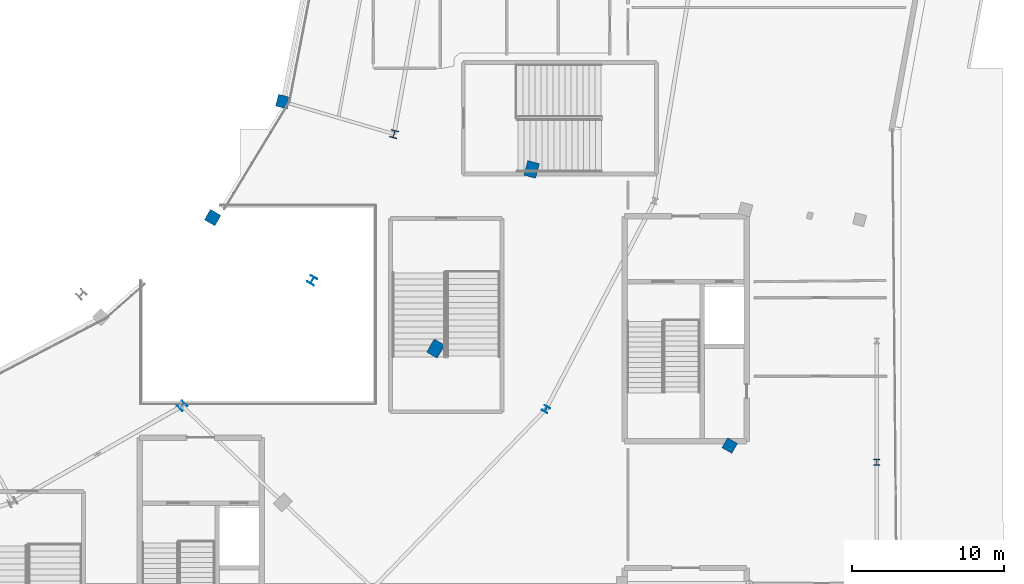
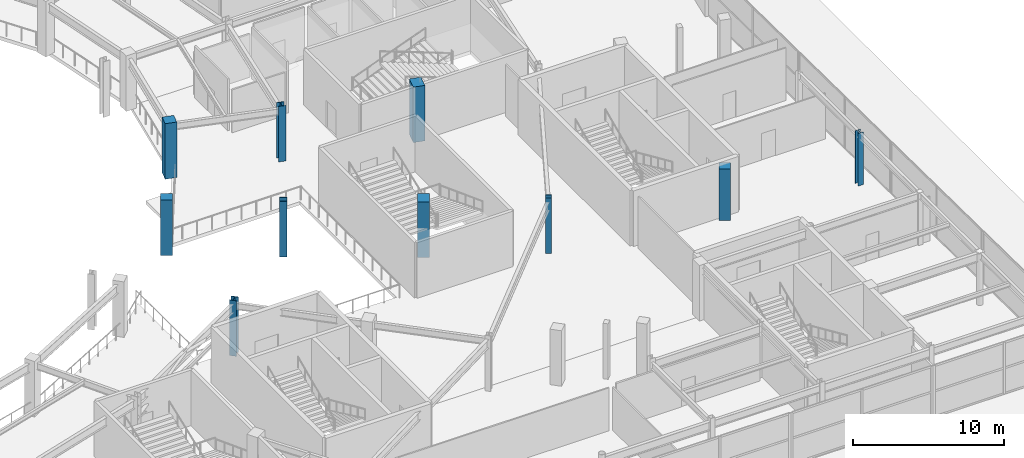
# One storey, part 12 of 107: 10 columns.
"""IFC4 building model written with IfcOpenShell, lengths in metres."""

from ifc_helpers import new_model, si_unit, direction, frame, origin, origin_2d, place, context, subcontext, project, spatial, rectangle, i_section, extrude, material, material_profile, profile_set, type_object, element, save


model = new_model("IFC4")

# Units and contexts
model_context = context("Model", 3, precision=1e-05, world=origin(), true_north=direction((0.0, 1.0)))
body_context = subcontext(model_context, "Body", "Model", "MODEL_VIEW")
ifc_project = project(units=[si_unit("LENGTHUNIT", "METRE"), si_unit("AREAUNIT", "SQUARE_METRE"), si_unit("VOLUMEUNIT", "CUBIC_METRE"), si_unit("PLANEANGLEUNIT", "RADIAN"), si_unit("MASSUNIT", "GRAM", prefix="KILO")], contexts=[model_context])

# Site, building, storey
site_placement = place(None, origin())
site = spatial("IfcSite", under=ifc_project, at=site_placement, CompositionType="ELEMENT")
building_placement = place(site_placement, origin())
building = spatial("IfcBuilding", under=site, at=building_placement, Name="Kalgoora Escarpment Arena", CompositionType="ELEMENT")
storey_placement = place(building_placement, frame((0.0, 0.0, 5.39990234375)))
storey = spatial("IfcBuildingStorey", under=building, at=storey_placement, Name="L01", CompositionType="ELEMENT", Elevation=5.39990234375)

# Columns
ifc_material_1 = material(Name="Structural steel Grade 350 (350 MPa)", Category="steel")
ifc_material_profile_1 = material_profile(ifc_material_1, i_section(OverallWidth=0.39990234375, OverallDepth=0.39990234375, WebThickness=0.01611328125, FlangeThickness=0.028076171875, at=origin_2d()))
ifc_profile_set_1 = profile_set([ifc_material_profile_1], Name="Structural steel Grade 350 (350 MPa)")
column_type_1 = type_object("IfcColumnType", Name="COL-COL-400WC212", PredefinedType="COLUMN", material=ifc_profile_set_1)
column_1_placement = place(storey_placement, frame((176.39990234375, 32.0, 0.0), z_axis=(0.0, 0.0, 1.0), x_axis=(1.0, 0.0, 0.0)))
element("IfcColumn", 1, at=column_1_placement, inside=storey, type_object=column_type_1, Name="L01 structural column COL-G22-E", PredefinedType="COLUMN", context=body_context, shape_type="SweptSolid", body=[
    extrude(i_section(OverallWidth=0.39990234375, OverallDepth=0.39990234375, WebThickness=0.01611328125, FlangeThickness=0.028076171875, at=origin_2d()), origin(), (0.0, 0.0, 1.0), 4.260009765625),
])
ifc_material_2 = material(Name="Structural steel Grade 350 (350 MPa)", Category="steel")
ifc_material_profile_2 = material_profile(ifc_material_2, i_section(OverallWidth=0.39990234375, OverallDepth=0.39990234375, WebThickness=0.01806640625, FlangeThickness=0.031982421875, at=origin_2d()))
ifc_profile_set_2 = profile_set([ifc_material_profile_2], Name="Structural steel Grade 350 (350 MPa)")
column_type_2 = type_object("IfcColumnType", Name="COL-COL-400WC270", PredefinedType="COLUMN", material=ifc_profile_set_2)
column_2_placement = place(storey_placement, frame((154.58056640625, 35.5, 0.0), z_axis=(0.0, 0.0, 1.0), x_axis=(0.866025403784, -0.5, 0.0)))
element("IfcColumn", 2, at=column_2_placement, inside=storey, type_object=column_type_2, Name="L01 structural column COL-RCONC2-R23", PredefinedType="COLUMN", context=body_context, shape_type="SweptSolid", body=[
    extrude(i_section(OverallWidth=0.39990234375, OverallDepth=0.39990234375, WebThickness=0.01806640625, FlangeThickness=0.031982421875, at=origin_2d()), origin(), (0.0, 0.0, 1.0), 4.5),
])
ifc_material_3 = material(Name="Structural steel Grade 350 (350 MPa)", Category="steel")
ifc_material_profile_3 = material_profile(ifc_material_3, i_section(OverallWidth=0.5, OverallDepth=0.5, WebThickness=0.02001953125, FlangeThickness=0.034912109375, at=origin_2d()))
ifc_profile_set_3 = profile_set([ifc_material_profile_3], Name="Structural steel Grade 350 (350 MPa)")
column_type_3 = type_object("IfcColumnType", Name="COL-COL-500WC340", PredefinedType="COLUMN", material=ifc_profile_set_3)
for number, where, z_axis, x_axis, name in (
    (3, (130.583740234375, 35.7158203125, 0.0), (0.0, 0.0, 1.0), (0.707106781187, -0.707106781187, 0.0), "L01 structural column COL-RMAIN-R22"),
    (4, (139.165283203125, 44.0, 0.0), (0.0, 0.0, 1.0), (0.866025403784, -0.5, 0.0), "L01 structural column COL-RMAIN-R23"),
    (5, (144.56005859375, 53.647216796875, 0.0), (0.0, 0.0, 1.0), (0.965925826289, -0.258819045103, 0.0), "L01 structural column COL-RMAIN-R24"),
):
    element("IfcColumn", number, at=place(storey_placement, frame(where, z_axis=z_axis, x_axis=x_axis)), inside=storey, type_object=column_type_3, Name=name, PredefinedType="COLUMN", context=body_context, shape_type="SweptSolid", body=[
        extrude(i_section(OverallWidth=0.5, OverallDepth=0.5, WebThickness=0.02001953125, FlangeThickness=0.034912109375, at=origin_2d()), origin(), (0.0, 0.0, 1.0), 4.5),
    ])
ifc_material_4 = material(Name="Concrete N50 (fc' 50 MPa)", Category="concrete")
ifc_material_profile_4 = material_profile(ifc_material_4, rectangle(XDim=0.800048828125, YDim=1.0, at=origin_2d()))
ifc_profile_set_4 = profile_set([ifc_material_profile_4], Name="Concrete N50 (fc' 50 MPa)")
column_type_4 = type_object("IfcColumnType", Name="COL-COL-RC1000x800", PredefinedType="COLUMN", material=ifc_profile_set_4)
for number, where, z_axis, x_axis, name in (
    (6, (147.305908203125, 39.5, 0.0), (0.0, 0.0, 1.0), (0.866025403784, -0.5, 0.0), "L01 structural column COL-RCONC1-R23"),
    (7, (153.6396484375, 51.31787109375, 0.0), (0.0, 0.0, 1.0), (0.965925826289, -0.258819045103, 0.0), "L01 structural column COL-RCONC1-R24"),
):
    element("IfcColumn", number, at=place(storey_placement, frame(where, z_axis=z_axis, x_axis=x_axis)), inside=storey, type_object=column_type_4, Name=name, PredefinedType="COLUMN", context=body_context, shape_type="SweptSolid", body=[
        extrude(rectangle(XDim=0.800048828125, YDim=1.0, at=origin_2d()), origin(), (0.0, 0.0, 1.0), 4.5),
    ])
ifc_material_5 = material(Name="Concrete N50 (fc' 50 MPa)", Category="concrete")
ifc_material_profile_5 = material_profile(ifc_material_5, rectangle(XDim=0.75, YDim=0.75, at=origin_2d()))
ifc_profile_set_5 = profile_set([ifc_material_profile_5], Name="Concrete N50 (fc' 50 MPa)")
column_type_5 = type_object("IfcColumnType", Name="COL-COL-RC750x750", PredefinedType="COLUMN", material=ifc_profile_set_5)
column_3_placement = place(storey_placement, frame((166.705078125, 33.10009765625, 0.0), z_axis=(0.0, 0.0, 1.0), x_axis=(0.866025403784, -0.5, 0.0)))
element("IfcColumn", 8, at=column_3_placement, inside=storey, type_object=column_type_5, Name="L01 structural column COL-RBASE2-R23", PredefinedType="COLUMN", context=body_context, shape_type="SweptSolid", body=[
    extrude(rectangle(XDim=0.75, YDim=0.75, at=origin_2d()), origin(), (0.0, 0.0, 1.0), 4.2001953125),
])
ifc_material_6 = material(Name="Concrete N50 (fc' 50 MPa)", Category="concrete")
ifc_material_profile_6 = material_profile(ifc_material_6, rectangle(XDim=0.800048828125, YDim=0.800048828125, at=origin_2d()))
ifc_profile_set_6 = profile_set([ifc_material_profile_6], Name="Concrete N50 (fc' 50 MPa)")
column_type_6 = type_object("IfcColumnType", Name="COL-COL-RC800x800", PredefinedType="COLUMN", material=ifc_profile_set_6)
for number, where, z_axis, x_axis, name in (
    (9, (132.59228515625, 48.139892578125, 0.0), (0.0, 0.0, 1.0), (0.866025403784, -0.5, 0.0), "L01 structural column COL-RMID-R23"),
    (10, (137.228515625, 55.790283203125, 0.0), (0.0, 0.0, 1.0), (0.965925826289, -0.258819045103, 0.0), "L01 structural column COL-RMID-R24"),
):
    element("IfcColumn", number, at=place(storey_placement, frame(where, z_axis=z_axis, x_axis=x_axis)), inside=storey, type_object=column_type_6, Name=name, PredefinedType="COLUMN", context=body_context, shape_type="SweptSolid", body=[
        extrude(rectangle(XDim=0.800048828125, YDim=0.800048828125, at=origin_2d()), origin(), (0.0, 0.0, 1.0), 4.5),
    ])

save(model, "model.ifc")
